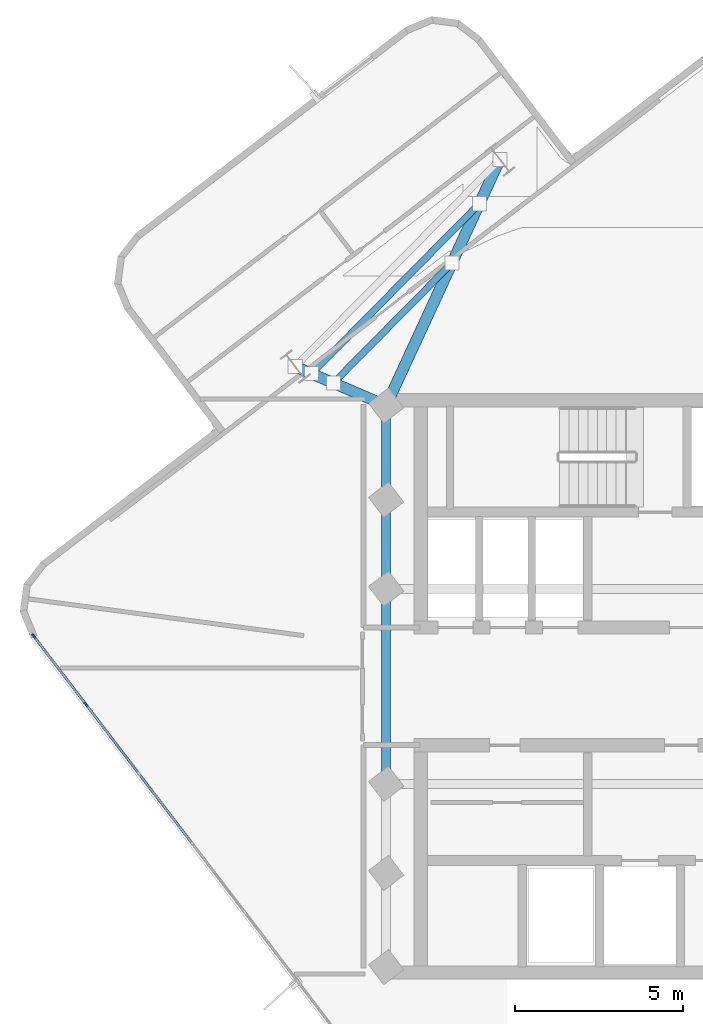
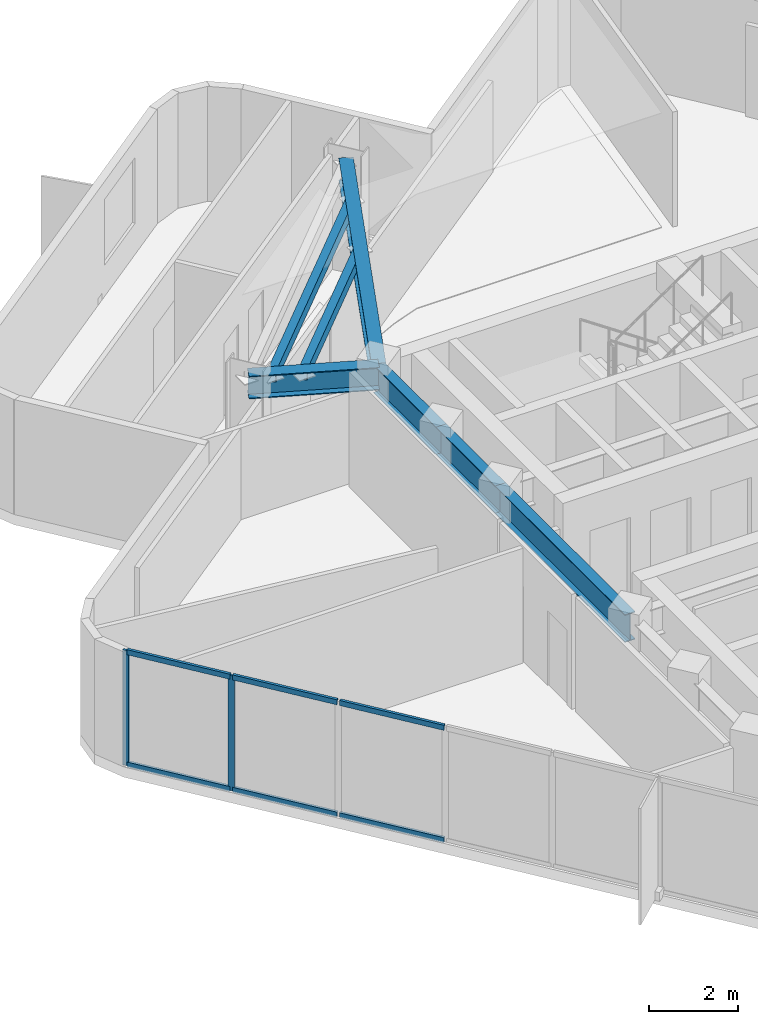
# One storey, part 3 of 9: 8 members, 7 beams, 1 element without a shape of its own.
"""IFC4 building model written with IfcOpenShell, lengths in metres."""

from ifc_helpers import new_model, si_unit, direction, frame, origin, origin_2d, place, context, subcontext, project, spatial, rectangle, hollow_rectangle, i_section, extrude, material, layer, layer_set, material_profile, profile_set, type_object, element, aggregate, save


model = new_model("IFC4")

# Units and contexts
model_context = context("Model", 3, precision=1e-05, world=origin(), true_north=direction((0.0, 1.0)))
body_context = subcontext(model_context, "Body", "Model", "MODEL_VIEW")
ifc_project = project(units=[si_unit("LENGTHUNIT", "METRE"), si_unit("AREAUNIT", "SQUARE_METRE"), si_unit("VOLUMEUNIT", "CUBIC_METRE"), si_unit("PLANEANGLEUNIT", "RADIAN"), si_unit("MASSUNIT", "GRAM", prefix="KILO")], contexts=[model_context])

# Site, building, storey
site_placement = place(None, origin())
site = spatial("IfcSite", under=ifc_project, at=site_placement, CompositionType="ELEMENT")
building_placement = place(site_placement, origin())
building = spatial("IfcBuilding", under=site, at=building_placement, Name="Solmarez Civic Tower", CompositionType="ELEMENT")
storey_placement = place(building_placement, frame((0.0, 0.0, 229.139892578125)))
storey = spatial("IfcBuildingStorey", under=building, at=storey_placement, Name="L61", CompositionType="ELEMENT", Elevation=229.139892578125)

# Beams
ifc_material_1 = material(Name="Steel S355", Category="steel")
ifc_material_profile_1 = material_profile(ifc_material_1, hollow_rectangle(XDim=0.199951171875, YDim=0.300048828125, WallThickness=0.011962890625, at=origin_2d()), Name="HSS300X200X12")
ifc_profile_set_1 = profile_set([ifc_material_profile_1], Name="Steel S355")
beam_type_1 = type_object("IfcBeamType", Name="BM-JS-HSS300X200", PredefinedType="JOIST", material=ifc_profile_set_1)
beam_1_placement = place(storey_placement, frame((-6.887939453125, 12.595947265625, 2.989990234375), z_axis=(-0.702816380081, -0.711371306625, 0.0), x_axis=(0.711371306625, -0.702816380081, 0.0)))
element("IfcBeam", 1, at=beam_1_placement, inside=storey, type_object=beam_type_1, Name="L61 Secondary Floor Joist JS-L61-NA-M11", PredefinedType="JOIST", context=body_context, shape_type="SweptSolid", body=[
    extrude(hollow_rectangle(XDim=0.199951171875, YDim=0.300048828125, WallThickness=0.011962890625, at=origin_2d()), origin(), (0.0, 0.0, 1.0), 5.022705078125),
])
beam_2_placement = place(storey_placement, frame((-6.076904296875, 14.35302734375, 2.989990234375), z_axis=(-0.702726827997, -0.711459770622, 0.0), x_axis=(0.711459770622, -0.702726827997, 0.0)))
element("IfcBeam", 2, at=beam_2_placement, inside=storey, type_object=beam_type_1, Name="L61 Secondary Floor Joist JS-L61-NA-M12", PredefinedType="JOIST", context=body_context, shape_type="SweptSolid", body=[
    extrude(hollow_rectangle(XDim=0.199951171875, YDim=0.300048828125, WallThickness=0.011962890625, at=origin_2d()), origin(), (0.0, 0.0, 1.0), 7.100830078125),
])
ifc_material_profile_2 = material_profile(ifc_material_1, i_section(OverallWidth=0.327880859375, OverallDepth=0.6220703125, WebThickness=0.015380859375, FlangeThickness=0.0244140625, at=origin_2d()), Name="W24X131")
ifc_profile_set_2 = profile_set([ifc_material_profile_2], Name="Steel S355")
beam_type_2 = type_object("IfcBeamType", Name="BM-PR-W24X131", PredefinedType="BEAM", material=ifc_profile_set_2)
beam_3_placement = place(storey_placement, frame((-8.85009765625, 8.35009765625, 2.8291015625), z_axis=(0.419390280967, 0.907806032273, 0.0), x_axis=(-0.907806032273, 0.419390280967, 0.0)))
element("IfcBeam", 3, at=beam_3_placement, inside=storey, type_object=beam_type_2, Name="L61 Primary Floor Beam BM-L61-NA-R1A", PredefinedType="BEAM", context=body_context, shape_type="SweptSolid", body=[
    extrude(i_section(OverallWidth=0.327880859375, OverallDepth=0.6220703125, WebThickness=0.015380859375, FlangeThickness=0.0244140625, at=origin_2d()), origin(), (0.0, 0.0, 1.0), 8.064208984375),
])
beam_4_placement = place(storey_placement, frame((-8.85009765625, 8.35009765625, 2.8291015625), z_axis=(-0.919007627325, 0.394239750557, 0.0), x_axis=(-0.394239750557, -0.919007627325, 0.0)))
element("IfcBeam", 4, at=beam_4_placement, inside=storey, type_object=beam_type_2, Name="L61 Primary Floor Beam BM-L61-NA-R1B", PredefinedType="BEAM", context=body_context, shape_type="SweptSolid", body=[
    extrude(i_section(OverallWidth=0.327880859375, OverallDepth=0.6220703125, WebThickness=0.015380859375, FlangeThickness=0.0244140625, at=origin_2d()), origin(), (0.0, 0.0, 1.0), 2.942138671875),
])
ifc_material_profile_3 = material_profile(ifc_material_1, i_section(OverallWidth=0.26708984375, OverallDepth=0.761962890625, WebThickness=0.014404296875, FlangeThickness=0.021484375, at=origin_2d()), Name="W30X116")
ifc_profile_set_3 = profile_set([ifc_material_profile_3], Name="Steel S355")
beam_type_3 = type_object("IfcBeamType", Name="BM-PR-W30X116", PredefinedType="BEAM", material=ifc_profile_set_3)
beam_5_placement = place(storey_placement, frame((-8.85009765625, -2.89990234375, 2.759033203125), z_axis=(0.0, 1.0, 0.0), x_axis=(-1.0, 0.0, 0.0)))
element("IfcBeam", 5, at=beam_5_placement, inside=storey, type_object=beam_type_3, Name="L61 Primary Floor Beam BM-L61-HC2-HC3", PredefinedType="BEAM", context=body_context, shape_type="SweptSolid", body=[
    extrude(i_section(OverallWidth=0.26708984375, OverallDepth=0.761962890625, WebThickness=0.014404296875, FlangeThickness=0.021484375, at=origin_2d()), origin(), (0.0, 0.0, 1.0), 5.7998046875),
])
beam_6_placement = place(storey_placement, frame((-8.85009765625, 2.89990234375, 2.759033203125), z_axis=(0.0, 1.0, 0.0), x_axis=(-1.0, 0.0, 0.0)))
element("IfcBeam", 6, at=beam_6_placement, inside=storey, type_object=beam_type_3, Name="L61 Primary Floor Beam BM-L61-HC3-HC4", PredefinedType="BEAM", context=body_context, shape_type="SweptSolid", body=[
    extrude(i_section(OverallWidth=0.26708984375, OverallDepth=0.761962890625, WebThickness=0.014404296875, FlangeThickness=0.021484375, at=origin_2d()), origin(), (0.0, 0.0, 1.0), 2.650146484375),
])
beam_7_placement = place(storey_placement, frame((-8.85009765625, 5.550048828125, 2.759033203125), z_axis=(0.0, 1.0, 0.0), x_axis=(-1.0, 0.0, 0.0)))
element("IfcBeam", 7, at=beam_7_placement, inside=storey, type_object=beam_type_3, Name="L61 Primary Floor Beam BM-L61-HC4-HC9", PredefinedType="BEAM", context=body_context, shape_type="SweptSolid", body=[
    extrude(i_section(OverallWidth=0.26708984375, OverallDepth=0.761962890625, WebThickness=0.014404296875, FlangeThickness=0.021484375, at=origin_2d()), origin(), (0.0, 0.0, 1.0), 2.800048828125),
])

# Curtain wall, members
ifc_material_2 = material(Name="Bronze Anodised Aluminium EN AW-6063 T6", Category="aluminium")
ifc_layer = layer(ifc_material_2, 0.1650390625)
ifc_layer_set = layer_set([ifc_layer], Name="Bronze Anodised Aluminium EN AW-6063 T6")
curtain_wall_type = type_object("IfcCurtainWallType", Name="CW-SYS-4", PredefinedType="NOTDEFINED", material=ifc_layer_set)
curtain_wall_placement = place(storey_placement, origin())
curtain_wall = element("IfcCurtainWall", 8, at=curtain_wall_placement, inside=storey, type_object=curtain_wall_type, Name="L61 Stick-Built Curtain Wall 2", PredefinedType="NOTDEFINED")
ifc_material_profile_4 = material_profile(ifc_material_2, rectangle(XDim=0.06005859375, YDim=0.14990234375, at=origin_2d()), Name="CWM-60X150")
ifc_profile_set_4 = profile_set([ifc_material_profile_4], Name="Bronze Anodised Aluminium EN AW-6063 T6")
member_type_1 = type_object("IfcMemberType", Name="CWM-TYPE-4", PredefinedType="MULLION", material=ifc_profile_set_4)
member_1_placement = place(storey_placement, frame((-17.777587890625, -0.53857421875, 0.0), z_axis=(0.0, 0.0, 1.0), x_axis=(-0.794434469598, -0.607349877348, 0.0)))
member_1 = element("IfcMember", 9, at=member_1_placement, type_object=member_type_1, Name="CWS4 mullion 10", PredefinedType="MULLION", context=body_context, shape_type="SweptSolid", body=[
    extrude(rectangle(XDim=0.06005859375, YDim=0.14990234375, at=origin_2d()), origin(), (0.0, 0.0, 1.0), 3.14013671875),
])
member_2_placement = place(storey_placement, frame((-19.333740234375, 1.4970703125, 0.0), z_axis=(0.0, 0.0, 1.0), x_axis=(-0.794434469598, -0.607349877348, 0.0)))
member_2 = element("IfcMember", 10, at=member_2_placement, type_object=member_type_1, Name="CWS4 mullion 11", PredefinedType="MULLION", context=body_context, shape_type="SweptSolid", body=[
    extrude(rectangle(XDim=0.06005859375, YDim=0.14990234375, at=origin_2d()), origin(), (0.0, 0.0, 1.0), 3.14013671875),
])
ifc_material_profile_5 = material_profile(ifc_material_2, rectangle(XDim=0.070068359375, YDim=0.139892578125, at=origin_2d()), Name="CWT-70X140")
ifc_profile_set_5 = profile_set([ifc_material_profile_5], Name="Bronze Anodised Aluminium EN AW-6063 T6")
member_type_2 = type_object("IfcMemberType", Name="CWT-TYPE-1", PredefinedType="USERDEFINED", material=ifc_profile_set_5)
member_3_placement = place(storey_placement, frame((-14.646728515625, -4.633544921875, 0.03515625), z_axis=(-0.607378534889, 0.794412559918, 0.0), x_axis=(-0.794412559918, -0.607378534889, 0.0)))
member_3 = element("IfcMember", 11, at=member_3_placement, type_object=member_type_2, Name="CWS4 transom 8.1", ObjectType="TRANSOM", PredefinedType="USERDEFINED", context=body_context, shape_type="SweptSolid", body=[
    extrude(rectangle(XDim=0.070068359375, YDim=0.139892578125, at=origin_2d()), origin(), (0.0, 0.0, 1.0), 2.5322265625),
])
member_4_placement = place(storey_placement, frame((-14.646728515625, -4.633544921875, 3.105224609375), z_axis=(-0.607378534889, 0.794412559918, 0.0), x_axis=(-0.794412559918, -0.607378534889, 0.0)))
member_4 = element("IfcMember", 12, at=member_4_placement, type_object=member_type_2, Name="CWS4 transom 8.2", ObjectType="TRANSOM", PredefinedType="USERDEFINED", context=body_context, shape_type="SweptSolid", body=[
    extrude(rectangle(XDim=0.070068359375, YDim=0.139892578125, at=origin_2d()), origin(), (0.0, 0.0, 1.0), 2.5322265625),
])
member_5_placement = place(storey_placement, frame((-16.22119140625, -2.57421875, 0.03515625), z_axis=(-0.607332019047, 0.794448122058, 0.0), x_axis=(-0.794448122058, -0.607332019047, 0.0)))
member_5 = element("IfcMember", 13, at=member_5_placement, type_object=member_type_2, Name="CWS4 transom 9.1", ObjectType="TRANSOM", PredefinedType="USERDEFINED", context=body_context, shape_type="SweptSolid", body=[
    extrude(rectangle(XDim=0.070068359375, YDim=0.139892578125, at=origin_2d()), origin(), (0.0, 0.0, 1.0), 2.532470703125),
])
member_6_placement = place(storey_placement, frame((-16.22119140625, -2.57421875, 3.105224609375), z_axis=(-0.607332019047, 0.794448122058, 0.0), x_axis=(-0.794448122058, -0.607332019047, 0.0)))
member_6 = element("IfcMember", 14, at=member_6_placement, type_object=member_type_2, Name="CWS4 transom 9.2", ObjectType="TRANSOM", PredefinedType="USERDEFINED", context=body_context, shape_type="SweptSolid", body=[
    extrude(rectangle(XDim=0.070068359375, YDim=0.139892578125, at=origin_2d()), origin(), (0.0, 0.0, 1.0), 2.532470703125),
])
member_7_placement = place(storey_placement, frame((-17.795654296875, -0.5146484375, 0.03515625), z_axis=(-0.607388546989, 0.794404904936, 0.0), x_axis=(-0.794404904936, -0.607388546989, 0.0)))
member_7 = element("IfcMember", 15, at=member_7_placement, type_object=member_type_2, Name="CWS4 transom 10.1", ObjectType="TRANSOM", PredefinedType="USERDEFINED", context=body_context, shape_type="SweptSolid", body=[
    extrude(rectangle(XDim=0.070068359375, YDim=0.139892578125, at=origin_2d()), origin(), (0.0, 0.0, 1.0), 2.50244140625),
])
member_8_placement = place(storey_placement, frame((-17.795654296875, -0.5146484375, 3.105224609375), z_axis=(-0.607388546989, 0.794404904936, 0.0), x_axis=(-0.794404904936, -0.607388546989, 0.0)))
member_8 = element("IfcMember", 16, at=member_8_placement, type_object=member_type_2, Name="CWS4 transom 10.2", ObjectType="TRANSOM", PredefinedType="USERDEFINED", context=body_context, shape_type="SweptSolid", body=[
    extrude(rectangle(XDim=0.070068359375, YDim=0.139892578125, at=origin_2d()), origin(), (0.0, 0.0, 1.0), 2.50244140625),
])
aggregate(curtain_wall, [member_1, member_2, member_3, member_4, member_5, member_6, member_7, member_8])

save(model, "model.ifc")
